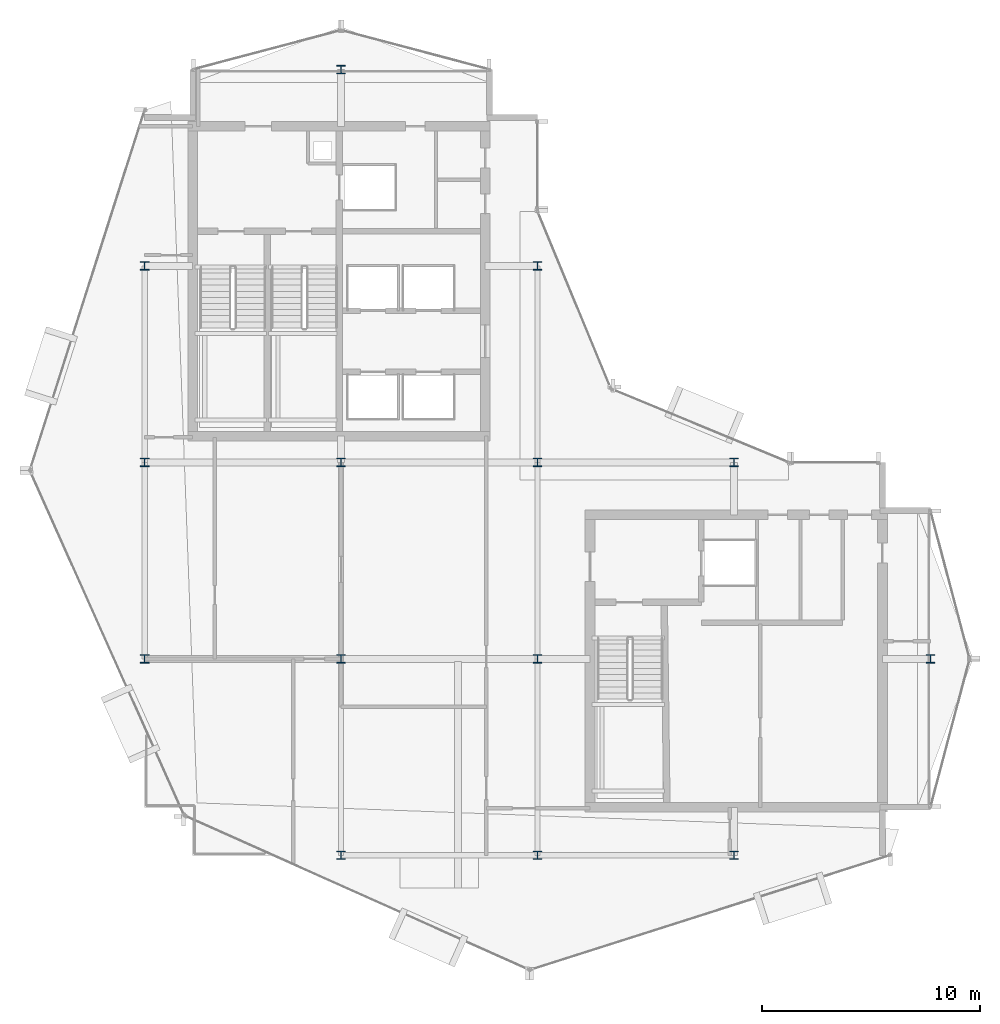
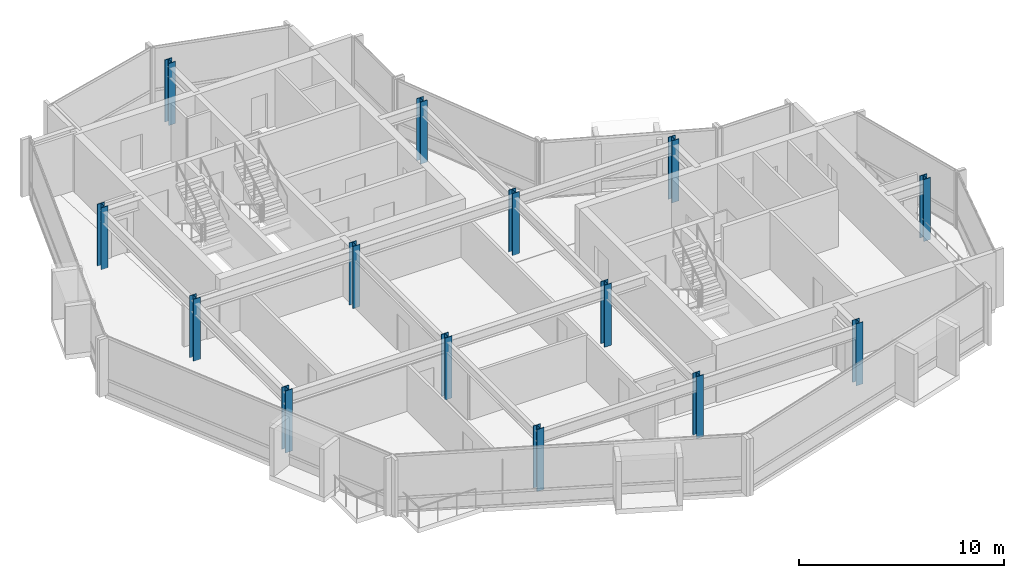
# One storey, part 1 of 19: 14 columns.
"""IFC4 building model written with IfcOpenShell, lengths in metres."""

from ifc_helpers import new_model, si_unit, direction, frame, origin, origin_2d, place, context, subcontext, project, spatial, i_section, extrude, material, material_profile, profile_set, type_object, element, save


model = new_model("IFC4")

# Units and contexts
model_context = context("Model", 3, precision=1e-05, world=origin(), true_north=direction((0.0, 1.0)))
body_context = subcontext(model_context, "Body", "Model", "MODEL_VIEW")
ifc_project = project(units=[si_unit("LENGTHUNIT", "METRE"), si_unit("AREAUNIT", "SQUARE_METRE"), si_unit("VOLUMEUNIT", "CUBIC_METRE"), si_unit("PLANEANGLEUNIT", "RADIAN"), si_unit("MASSUNIT", "GRAM", prefix="KILO")], contexts=[model_context])

# Site, building, storey
site_placement = place(None, origin())
site = spatial("IfcSite", under=ifc_project, at=site_placement, CompositionType="ELEMENT")
building_placement = place(site_placement, origin())
building = spatial("IfcBuilding", under=site, at=building_placement, Name="Solvaryn Broadcast Tower", CompositionType="ELEMENT")
storey_placement = place(building_placement, frame((0.0, 0.0, 263.0)))
storey = spatial("IfcBuildingStorey", under=building, at=storey_placement, Name="L66", CompositionType="ELEMENT", Elevation=263.0)

# Columns
ifc_material_1 = material(Name="Steel ASTM A913 Grade 65", Category="steel")
ifc_material_profile_1 = material_profile(ifc_material_1, i_section(OverallWidth=0.39697265625, OverallDepth=0.386962890625, WebThickness=0.02099609375, FlangeThickness=0.033203125, FilletRadius=0.014892578125, at=origin_2d()))
ifc_profile_set_1 = profile_set([ifc_material_profile_1], Name="Steel ASTM A913 Grade 65")
column_type_1 = type_object("IfcColumnType", Name="COL-C09E-W14X176", PredefinedType="COLUMN", material=ifc_profile_set_1)
for number, where, z_axis, x_axis, name in (
    (1, (9.0, 18.0, 0.0), (0.0, 0.0, 1.0), (1.0, 0.0, 0.0), "L66 Column (9.0, 18.0)"),
    (2, (9.0, 27.0, 0.0), (0.0, 0.0, 1.0), (1.0, 0.0, 0.0), "L66 Column (9.0, 27.0)"),
    (3, (9.0, 36.0, 0.0), (0.0, 0.0, 1.0), (1.0, 0.0, 0.0), "L66 Column (9.0, 36.0)"),
    (4, (18.0, 9.0, 0.0), (0.0, 0.0, 1.0), (1.0, 0.0, 0.0), "L66 Column (18.0, 9.0)"),
    (5, (18.0, 45.0, 0.0), (0.0, 0.0, 1.0), (1.0, 0.0, 0.0), "L66 Column (18.0, 45.0)"),
    (6, (27.0, 9.0, 0.0), (0.0, 0.0, 1.0), (1.0, 0.0, 0.0), "L66 Column (27.0, 9.0)"),
    (7, (27.0, 36.0, 0.0), (0.0, 0.0, 1.0), (1.0, 0.0, 0.0), "L66 Column (27.0, 36.0)"),
    (8, (36.0, 9.0, 0.0), (0.0, 0.0, 1.0), (1.0, 0.0, 0.0), "L66 Column (36.0, 9.0)"),
    (9, (36.0, 27.0, 0.0), (0.0, 0.0, 1.0), (1.0, 0.0, 0.0), "L66 Column (36.0, 27.0)"),
    (10, (45.0, 18.0, 0.0), (0.0, 0.0, 1.0), (1.0, 0.0, 0.0), "L66 Column (45.0, 18.0)"),
):
    element("IfcColumn", number, at=place(storey_placement, frame(where, z_axis=z_axis, x_axis=x_axis)), inside=storey, type_object=column_type_1, Name=name, PredefinedType="COLUMN", context=body_context, shape_type="SweptSolid", body=[
        extrude(i_section(OverallWidth=0.39697265625, OverallDepth=0.386962890625, WebThickness=0.02099609375, FlangeThickness=0.033203125, FilletRadius=0.014892578125, at=origin_2d()), origin(), (0.0, 0.0, 1.0), 3.699951171875),
    ])
ifc_material_2 = material(Name="Steel ASTM A913 Grade 65", Category="steel")
ifc_material_profile_2 = material_profile(ifc_material_2, i_section(OverallWidth=0.39697265625, OverallDepth=0.386962890625, WebThickness=0.02099609375, FlangeThickness=0.033203125, FilletRadius=0.014892578125, at=origin_2d()))
ifc_profile_set_2 = profile_set([ifc_material_profile_2], Name="Steel ASTM A913 Grade 65")
column_type_2 = type_object("IfcColumnType", Name="COL-C09I-W14X176", PredefinedType="COLUMN", material=ifc_profile_set_2)
for number, where, z_axis, x_axis, name in (
    (11, (18.0, 18.0, 0.0), (0.0, 0.0, 1.0), (1.0, 0.0, 0.0), "L66 Column (18.0, 18.0)"),
    (12, (18.0, 27.0, 0.0), (0.0, 0.0, 1.0), (1.0, 0.0, 0.0), "L66 Column (18.0, 27.0)"),
    (13, (27.0, 18.0, 0.0), (0.0, 0.0, 1.0), (1.0, 0.0, 0.0), "L66 Column (27.0, 18.0)"),
    (14, (27.0, 27.0, 0.0), (0.0, 0.0, 1.0), (1.0, 0.0, 0.0), "L66 Column (27.0, 27.0)"),
):
    element("IfcColumn", number, at=place(storey_placement, frame(where, z_axis=z_axis, x_axis=x_axis)), inside=storey, type_object=column_type_2, Name=name, PredefinedType="COLUMN", context=body_context, shape_type="SweptSolid", body=[
        extrude(i_section(OverallWidth=0.39697265625, OverallDepth=0.386962890625, WebThickness=0.02099609375, FlangeThickness=0.033203125, FilletRadius=0.014892578125, at=origin_2d()), origin(), (0.0, 0.0, 1.0), 3.699951171875),
    ])

save(model, "model.ifc")
